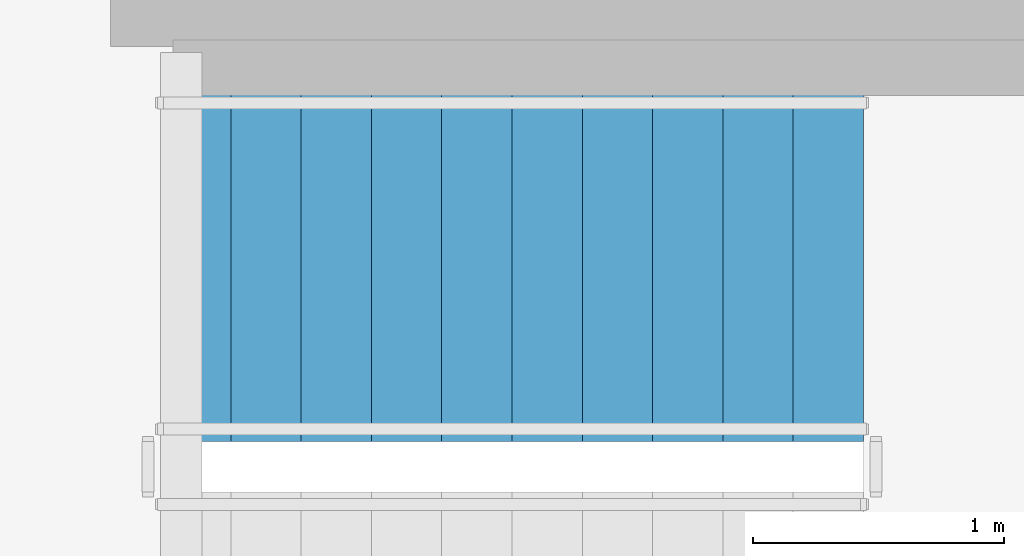
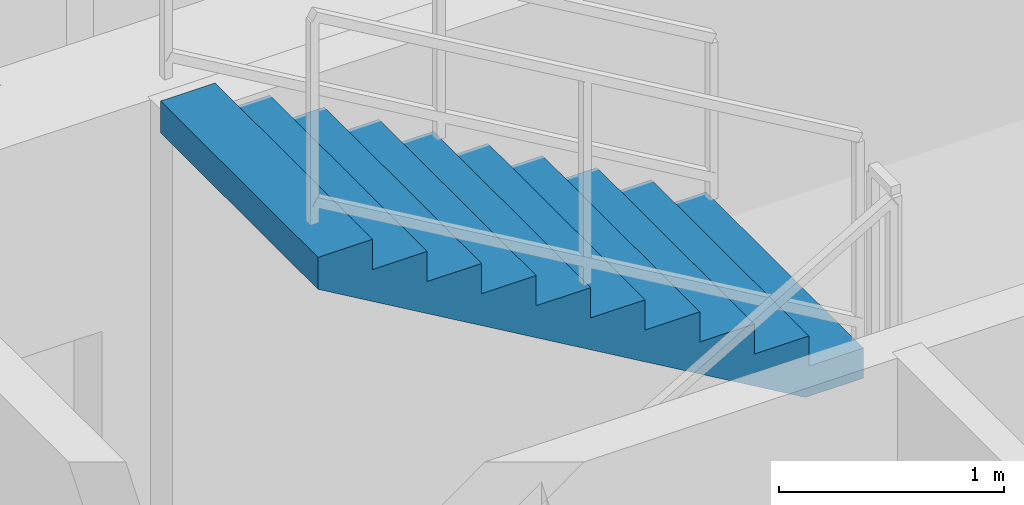
# One storey, part 16 of 18: 1 stair flight, 1 element without a shape of its own.
"""IFC4 building model written with IfcOpenShell, lengths in metres."""

from ifc_helpers import new_model, si_unit, direction, frame, origin, place, context, subcontext, project, spatial, polyline, outline, extrude, material, type_object, element, aggregate, save


model = new_model("IFC4")

# Units and contexts
model_context = context("Model", 3, precision=1e-05, world=origin(), true_north=direction((0.0, 1.0)))
body_context = subcontext(model_context, "Body", "Model", "MODEL_VIEW")
ifc_project = project(units=[si_unit("LENGTHUNIT", "METRE"), si_unit("AREAUNIT", "SQUARE_METRE"), si_unit("VOLUMEUNIT", "CUBIC_METRE"), si_unit("PLANEANGLEUNIT", "RADIAN"), si_unit("MASSUNIT", "GRAM", prefix="KILO")], contexts=[model_context])

# Site, building, storey
site_placement = place(None, origin())
site = spatial("IfcSite", under=ifc_project, at=site_placement, CompositionType="ELEMENT")
building_placement = place(site_placement, origin())
building = spatial("IfcBuilding", under=site, at=building_placement, Name="Qarnah Convention Tower", CompositionType="ELEMENT")
storey_placement = place(building_placement, frame((0.0, 0.0, 267.89990234375)))
storey = spatial("IfcBuildingStorey", under=building, at=storey_placement, Name="L72", CompositionType="ELEMENT", Elevation=267.89990234375)

# Stair, stair flight
ifc_material = material(Name="Concrete C50/60", Category="concrete")
stair_type = type_object("IfcStairType", Name="STR-OFF", PredefinedType="HALF_TURN_STAIR", material=ifc_material)
stair_placement = place(storey_placement, origin())
stair = element("IfcStair", 1, at=stair_placement, inside=storey, type_object=stair_type, Name="L72 Core exit stair ST-3", PredefinedType="HALF_TURN_STAIR")
stair_flight_type = type_object("IfcStairFlightType", Name="FLT-OFF", PredefinedType="STRAIGHT", material=ifc_material)
stair_flight_placement = place(storey_placement, frame((40.300048828125, 33.050048828125, 1.800048828125), z_axis=(0.0, 0.0, 1.0), x_axis=(-1.0, 0.0, 0.0)))
stair_flight = element("IfcStairFlight", 2, at=stair_flight_placement, type_object=stair_flight_type, Name="ST-3 flight 2", NumberOfRisers=11, NumberOfTreads=10, PredefinedType="STRAIGHT", RiserHeight=0.163636364, TreadLength=0.28, context=body_context, shape_type="SweptSolid", body=[
    extrude(outline(polyline([(0.0, 0.0), (0.0, 0.16357421875), (0.280029296875, 0.16357421875), (0.280029296875, 0.327392578125), (0.56005859375, 0.327392578125), (0.56005859375, 0.490966796875), (0.840087890625, 0.490966796875), (0.840087890625, 0.654541015625), (1.1201171875, 0.654541015625), (1.1201171875, 0.818115234375), (1.39990234375, 0.818115234375), (1.39990234375, 0.98193359375), (1.679931640625, 0.98193359375), (1.679931640625, 1.1455078125), (1.9599609375, 1.1455078125), (1.9599609375, 1.30908203125), (2.239990234375, 1.30908203125), (2.239990234375, 1.47265625), (2.52001953125, 1.47265625), (2.52001953125, 1.636474609375), (2.800048828125, 1.636474609375), (2.800048828125, 1.800048828125), (2.800048828125, 1.462646484375), (0.297119140625, 0.0), (0.0, 0.0)])), frame((0.0, 0.699951171875, 0.0), z_axis=(0.0, -1.0, 0.0), x_axis=(1.0, 0.0, 0.0)), (0.0, 0.0, 1.0), 1.39990234375),
])
aggregate(stair, [stair_flight])

save(model, "model.ifc")
